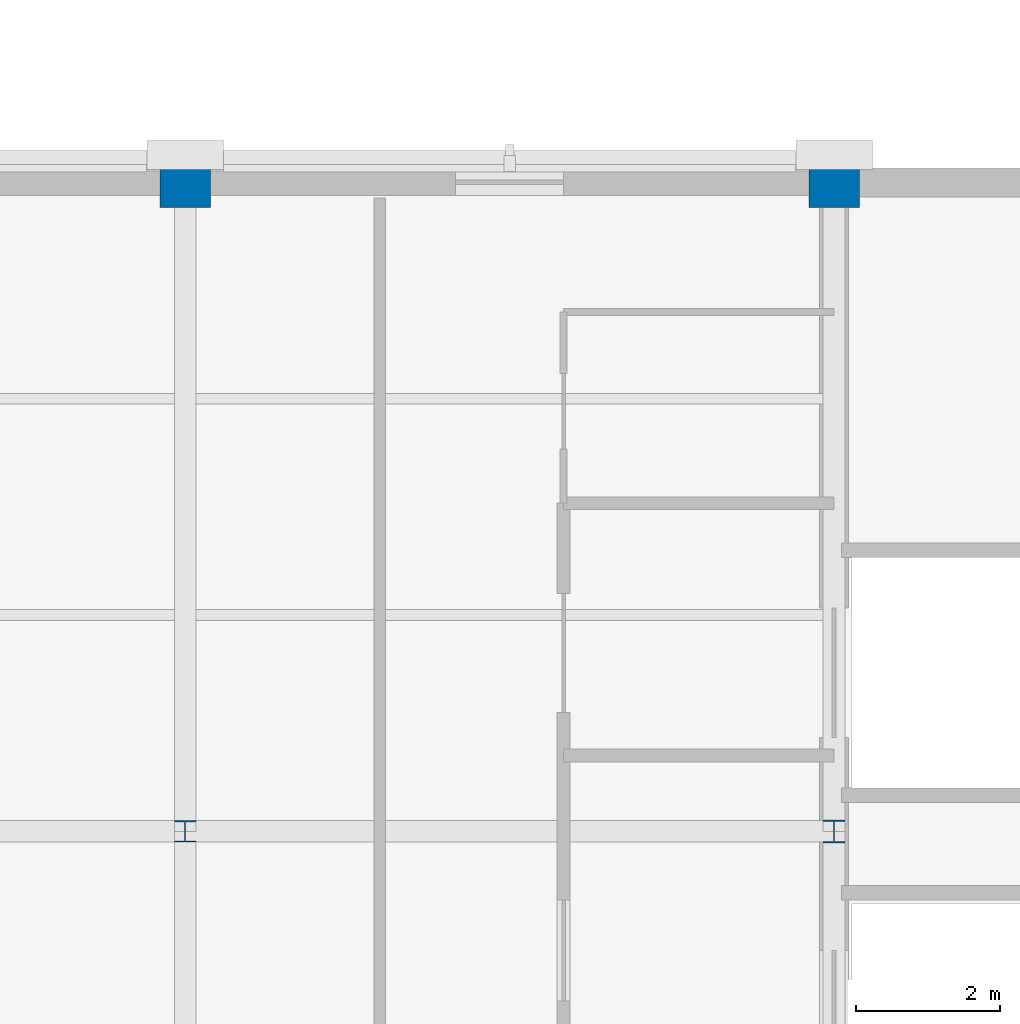
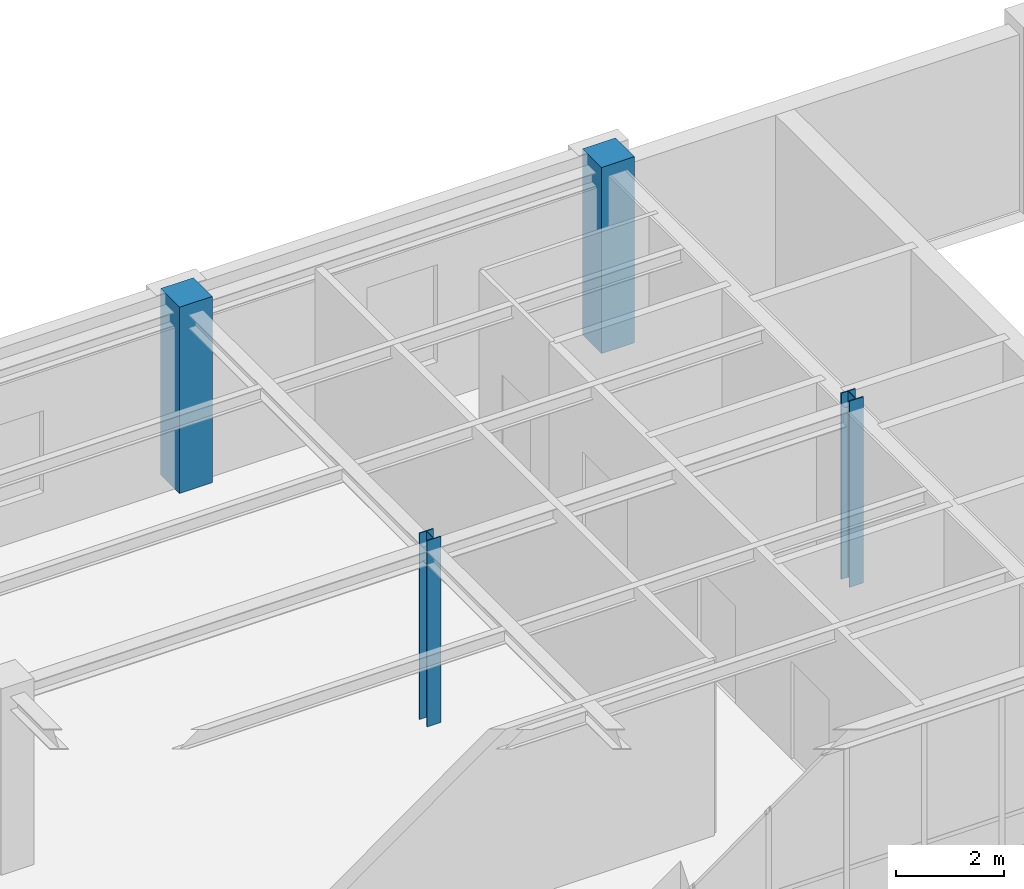
# One storey, part 11 of 108: 4 columns.
"""IFC4 building model written with IfcOpenShell, lengths in metres."""

from ifc_helpers import new_model, si_unit, direction, frame, origin, origin_2d, place, context, subcontext, project, spatial, rectangle, i_section, extrude, material, material_profile, profile_set, type_object, element, save


model = new_model("IFC4")

# Units and contexts
model_context = context("Model", 3, precision=1e-05, world=origin(), true_north=direction((0.0, 1.0)))
body_context = subcontext(model_context, "Body", "Model", "MODEL_VIEW")
ifc_project = project(units=[si_unit("LENGTHUNIT", "METRE"), si_unit("AREAUNIT", "SQUARE_METRE"), si_unit("VOLUMEUNIT", "CUBIC_METRE"), si_unit("PLANEANGLEUNIT", "RADIAN"), si_unit("MASSUNIT", "GRAM", prefix="KILO")], contexts=[model_context])

# Site, building, storey
site_placement = place(None, origin())
site = spatial("IfcSite", under=ifc_project, at=site_placement, CompositionType="ELEMENT")
building_placement = place(site_placement, origin())
building = spatial("IfcBuilding", under=site, at=building_placement, Name="Lykobir Media Centre", CompositionType="ELEMENT")
storey_placement = place(building_placement, frame((0.0, 0.0, 15.0)))
storey = spatial("IfcBuildingStorey", under=building, at=storey_placement, Name="L03", CompositionType="ELEMENT", Elevation=15.0)

# Columns
ifc_material_1 = material(Name="Concrete C40/50", Category="concrete")
ifc_material_profile_1 = material_profile(ifc_material_1, rectangle(XDim=0.699951171875, YDim=0.699951171875, at=origin_2d()), Name="RC 700x700")
ifc_profile_set_1 = profile_set([ifc_material_profile_1], Name="Concrete C40/50")
column_type_1 = type_object("IfcColumnType", Name="RC-C700", PredefinedType="COLUMN", material=ifc_profile_set_1)
for number, where, z_axis, x_axis, name in (
    (1, (117.0, 90.0, 0.0), (0.0, 0.0, 1.0), (1.0, 0.0, 0.0), "Column COL-L03-1170-0900"),
    (2, (126.0, 90.0, 0.0), (0.0, 0.0, 1.0), (1.0, 0.0, 0.0), "Column COL-L03-1260-0900"),
):
    element("IfcColumn", number, at=place(storey_placement, frame(where, z_axis=z_axis, x_axis=x_axis)), inside=storey, type_object=column_type_1, Name=name, PredefinedType="COLUMN", context=body_context, shape_type="SweptSolid", body=[
        extrude(rectangle(XDim=0.699951171875, YDim=0.699951171875, at=origin_2d()), origin(), (0.0, 0.0, 1.0), 4.199951171875),
    ])
ifc_material_2 = material(Name="Steel S355", Category="steel")
ifc_material_profile_2 = material_profile(ifc_material_2, i_section(OverallWidth=0.300048828125, OverallDepth=0.300048828125, WebThickness=0.010986328125, FlangeThickness=0.01904296875, at=origin_2d()), Name="HEB 300")
ifc_profile_set_2 = profile_set([ifc_material_profile_2], Name="Steel S355")
column_type_2 = type_object("IfcColumnType", Name="SC-HEB300", PredefinedType="COLUMN", material=ifc_profile_set_2)
column_1_placement = place(storey_placement, frame((117.0, 81.0, 0.0), z_axis=(0.0, 0.0, 1.0), x_axis=(1.0, 0.0, 0.0)))
element("IfcColumn", 3, at=column_1_placement, inside=storey, type_object=column_type_2, Name="Column COL-L03-1170-0810", PredefinedType="COLUMN", context=body_context, shape_type="SweptSolid", body=[
    extrude(i_section(OverallWidth=0.300048828125, OverallDepth=0.300048828125, WebThickness=0.010986328125, FlangeThickness=0.01904296875, at=origin_2d()), origin(), (0.0, 0.0, 1.0), 4.199951171875),
])
ifc_material_profile_3 = material_profile(ifc_material_2, i_section(OverallWidth=0.300048828125, OverallDepth=0.320068359375, WebThickness=0.011474609375, FlangeThickness=0.0205078125, at=origin_2d()), Name="HEB 320")
ifc_profile_set_3 = profile_set([ifc_material_profile_3], Name="Steel S355")
column_type_3 = type_object("IfcColumnType", Name="SC-HEB320", PredefinedType="COLUMN", material=ifc_profile_set_3)
column_2_placement = place(storey_placement, frame((126.0, 81.0, 0.0), z_axis=(0.0, 0.0, 1.0), x_axis=(1.0, 0.0, 0.0)))
element("IfcColumn", 4, at=column_2_placement, inside=storey, type_object=column_type_3, Name="Column COL-L03-1260-0810", PredefinedType="COLUMN", context=body_context, shape_type="SweptSolid", body=[
    extrude(i_section(OverallWidth=0.300048828125, OverallDepth=0.320068359375, WebThickness=0.011474609375, FlangeThickness=0.0205078125, at=origin_2d()), origin(), (0.0, 0.0, 1.0), 4.199951171875),
])

save(model, "model.ifc")
